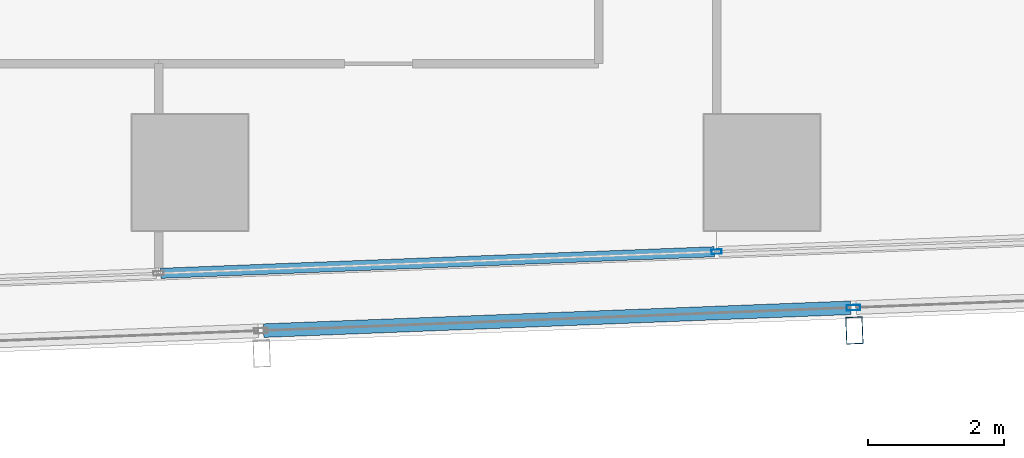
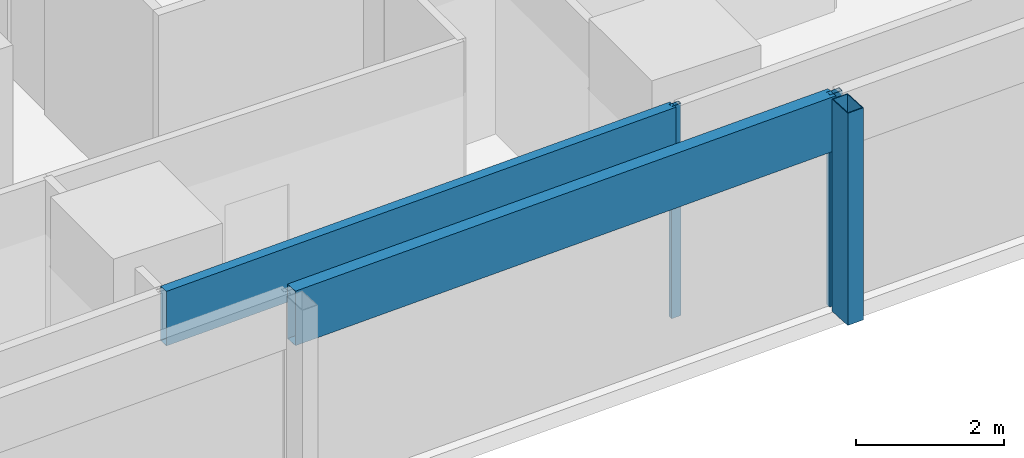
# One storey, part 11 of 40: 5 members, 2 elements without a shape of their own.
"""IFC4 building model written with IfcOpenShell, lengths in metres."""

from ifc_helpers import new_model, si_unit, direction, frame, origin, origin_2d, place, context, subcontext, project, spatial, hollow_rectangle, extrude, material, material_profile, profile_set, type_object, element, aggregate, save


model = new_model("IFC4")

# Units and contexts
model_context = context("Model", 3, precision=1e-05, world=origin(), true_north=direction((0.0, 1.0)))
body_context = subcontext(model_context, "Body", "Model", "MODEL_VIEW")
ifc_project = project(units=[si_unit("LENGTHUNIT", "METRE"), si_unit("AREAUNIT", "SQUARE_METRE"), si_unit("VOLUMEUNIT", "CUBIC_METRE"), si_unit("PLANEANGLEUNIT", "RADIAN"), si_unit("MASSUNIT", "GRAM", prefix="KILO")], contexts=[model_context])

# Site, building, storey
site_placement = place(None, origin())
site = spatial("IfcSite", under=ifc_project, at=site_placement, CompositionType="ELEMENT")
building_placement = place(site_placement, origin())
building = spatial("IfcBuilding", under=site, at=building_placement, Name="Rekha Terrace Tower", CompositionType="ELEMENT")
storey_placement = place(building_placement, frame((0.0, 0.0, 117.800048828125)))
storey = spatial("IfcBuildingStorey", under=building, at=storey_placement, Name="L29", CompositionType="ELEMENT", Elevation=117.800048828125)

# Curtain wall, member
ifc_material_1 = material(Name="Aluminium framing", Category="aluminium")
curtain_wall_type_1 = type_object("IfcCurtainWallType", Name="CW2 double skin outer glazing", PredefinedType="USERDEFINED", material=ifc_material_1)
curtain_wall_1_placement = place(storey_placement, origin())
curtain_wall_1 = element("IfcCurtainWall", 1, at=curtain_wall_1_placement, inside=storey, type_object=curtain_wall_type_1, Name="CW2 double skin outer glazing", ObjectType="DOUBLE SKIN OUTER GLAZING", PredefinedType="USERDEFINED")
ifc_material_2 = material(Name="Steel S355 with fluorocarbon finish", Category="steel")
ifc_material_profile_1 = material_profile(ifc_material_2, hollow_rectangle(XDim=0.25, YDim=0.39990234375, WallThickness=0.012451171875, at=origin_2d()), Name="RHS400x250x12.5")
ifc_profile_set_1 = profile_set([ifc_material_profile_1], Name="Steel S355 with fluorocarbon finish")
member_type_1 = type_object("IfcMemberType", Name="BL1 facade blade RHS 400 x 250", PredefinedType="USERDEFINED", material=ifc_profile_set_1)
member_1_placement = place(storey_placement, frame((60.1572265625, 14.480712890625, 0.0), z_axis=(0.0, 0.0, 1.0), x_axis=(0.999243494356, 0.038890088543, 0.0)))
member_1 = element("IfcMember", 2, at=member_1_placement, type_object=member_type_1, Name="Facade blade", ObjectType="FACADE BLADE", PredefinedType="USERDEFINED", context=body_context, shape_type="SweptSolid", body=[
    extrude(hollow_rectangle(XDim=0.25, YDim=0.39990234375, WallThickness=0.012451171875, at=origin_2d()), origin(), (0.0, 0.0, 1.0), 3.5),
])

# Curtain wall, members
curtain_wall_type_2 = type_object("IfcCurtainWallType", Name="CW1 double skin inner glazing", PredefinedType="USERDEFINED", material=ifc_material_1)
curtain_wall_2_placement = place(storey_placement, origin())
curtain_wall_2 = element("IfcCurtainWall", 3, at=curtain_wall_2_placement, inside=storey, type_object=curtain_wall_type_2, Name="CW1 double skin inner glazing", ObjectType="DOUBLE SKIN INNER GLAZING", PredefinedType="USERDEFINED")
ifc_material_3 = material(Name="Aluminium mullion section", Category="aluminium")
ifc_material_profile_2 = material_profile(ifc_material_3, hollow_rectangle(XDim=0.06494140625, YDim=0.14990234375, WallThickness=0.00390625, at=origin_2d()), Name="AL RHS 65x150")
ifc_profile_set_2 = profile_set([ifc_material_profile_2], Name="Aluminium mullion section")
member_type_2 = type_object("IfcMemberType", Name="CW1 mullion RHS 65 x 150", PredefinedType="MULLION", material=ifc_profile_set_2)
member_2_placement = place(storey_placement, frame((58.13330078125, 15.637939453125, 0.0), z_axis=(0.0, 0.0, 1.0), x_axis=(-0.038889971345, 0.999243498917, 0.0)))
member_2 = element("IfcMember", 4, at=member_2_placement, type_object=member_type_2, Name="CW1 mullion 5", PredefinedType="MULLION", context=body_context, shape_type="SweptSolid", body=[
    extrude(hollow_rectangle(XDim=0.06494140625, YDim=0.14990234375, WallThickness=0.00390625, at=origin_2d()), origin(), (0.0, 0.0, 1.0), 3.5),
])
ifc_material_4 = material(Name="Insulated aluminium spandrel box", Category="aluminium")
ifc_material_profile_3 = material_profile(ifc_material_4, hollow_rectangle(XDim=0.14990234375, YDim=0.89990234375, WallThickness=0.0029296875, at=origin_2d()), Name="AL SPANDREL BOX 150x900")
ifc_profile_set_3 = profile_set([ifc_material_profile_3], Name="Insulated aluminium spandrel box")
member_type_3 = type_object("IfcMemberType", Name="CW1 spandrel transom 150 x 900", PredefinedType="USERDEFINED", material=ifc_profile_set_3)
member_3_placement = place(storey_placement, frame((49.96923828125, 15.320068359375, 3.050048828125), z_axis=(0.999242669674, 0.038911272182, 0.0), x_axis=(-0.038911272182, 0.999242669674, 0.0)))
member_3 = element("IfcMember", 5, at=member_3_placement, type_object=member_type_3, Name="CW1 spandrel transom 4", ObjectType="TRANSOM", PredefinedType="USERDEFINED", context=body_context, shape_type="SweptSolid", body=[
    extrude(hollow_rectangle(XDim=0.14990234375, YDim=0.89990234375, WallThickness=0.0029296875, at=origin_2d()), origin(), (0.0, 0.0, 1.0), 8.1376953125),
])
aggregate(curtain_wall_2, [member_2, member_3])

# Member
ifc_material_profile_4 = material_profile(ifc_material_3, hollow_rectangle(XDim=0.080078125, YDim=0.199951171875, WallThickness=0.00390625, at=origin_2d()), Name="AL RHS 80x200")
ifc_profile_set_4 = profile_set([ifc_material_profile_4], Name="Aluminium mullion section")
member_type_4 = type_object("IfcMemberType", Name="CW2 mullion RHS 80 x 200", PredefinedType="MULLION", material=ifc_profile_set_4)
member_4_placement = place(storey_placement, frame((60.14404296875, 14.8154296875, 0.0), z_axis=(0.0, 0.0, 1.0), x_axis=(-0.038889971345, 0.999243498917, 0.0)))
member_4 = element("IfcMember", 6, at=member_4_placement, type_object=member_type_4, Name="CW2 mullion 5", PredefinedType="MULLION", context=body_context, shape_type="SweptSolid", body=[
    extrude(hollow_rectangle(XDim=0.080078125, YDim=0.199951171875, WallThickness=0.00390625, at=origin_2d()), origin(), (0.0, 0.0, 1.0), 3.5),
])

ifc_material_profile_5 = material_profile(ifc_material_4, hollow_rectangle(XDim=0.199951171875, YDim=0.89990234375, WallThickness=0.0029296875, at=origin_2d()), Name="AL SPANDREL BOX 200x900")
ifc_profile_set_5 = profile_set([ifc_material_profile_5], Name="Insulated aluminium spandrel box")
member_type_5 = type_object("IfcMemberType", Name="CW2 spandrel transom 200 x 900", PredefinedType="USERDEFINED", material=ifc_profile_set_5)
member_5_placement = place(storey_placement, frame((51.47900390625, 14.478271484375, 3.050048828125), z_axis=(0.999243481303, 0.038890423923, 0.0), x_axis=(-0.038890423923, 0.999243481303, 0.0)))
member_5 = element("IfcMember", 7, at=member_5_placement, type_object=member_type_5, Name="CW2 spandrel transom 4", ObjectType="TRANSOM", PredefinedType="USERDEFINED", context=body_context, shape_type="SweptSolid", body=[
    extrude(hollow_rectangle(XDim=0.199951171875, YDim=0.89990234375, WallThickness=0.0029296875, at=origin_2d()), origin(), (0.0, 0.0, 1.0), 8.6318359375),
])

aggregate(curtain_wall_1, [member_4, member_5, member_1])

save(model, "model.ifc")
